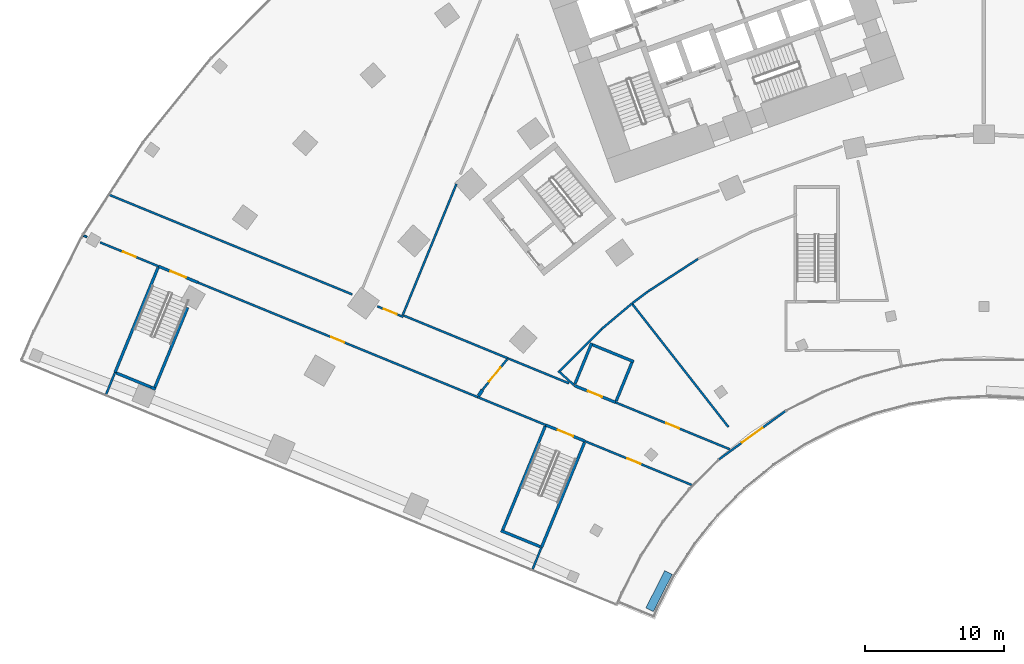
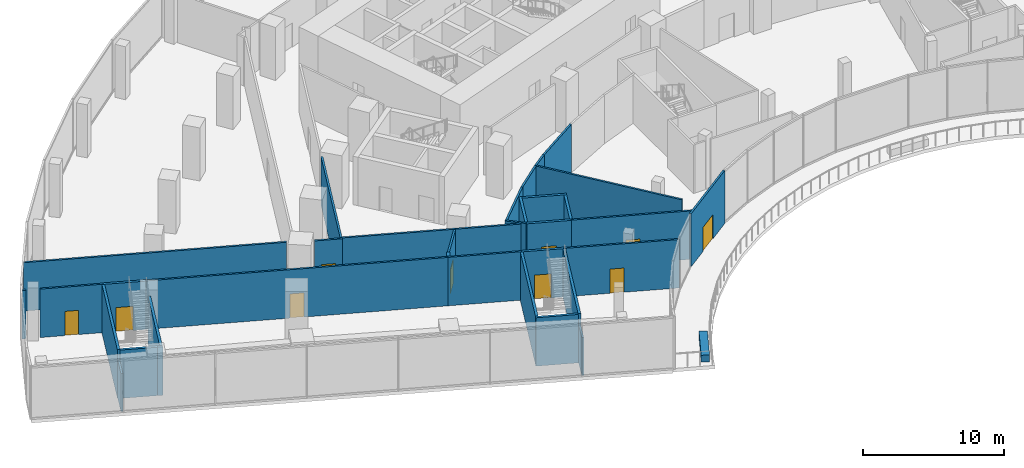
# One storey, part 22 of 39: 36 walls, 10 doors, 10 openings.
"""IFC4 building model written with IfcOpenShell, lengths in metres."""

from ifc_helpers import new_model, si_unit, direction, frame, frame_2d, origin, origin_2d, place, context, subcontext, project, spatial, rectangle, extrude, material, layer, layer_set, type_object, element, fill, save


model = new_model("IFC4")

# Units and contexts
model_context = context("Model", 3, precision=1e-05, world=origin(), true_north=direction((0.0, 1.0)))
body_context = subcontext(model_context, "Body", "Model", "MODEL_VIEW")
ifc_project = project(units=[si_unit("LENGTHUNIT", "METRE"), si_unit("AREAUNIT", "SQUARE_METRE"), si_unit("VOLUMEUNIT", "CUBIC_METRE"), si_unit("PLANEANGLEUNIT", "RADIAN"), si_unit("MASSUNIT", "GRAM", prefix="KILO")], contexts=[model_context])

# Site, building, storey
site_placement = place(None, origin())
site = spatial("IfcSite", under=ifc_project, at=site_placement, CompositionType="ELEMENT")
building_placement = place(site_placement, origin())
building = spatial("IfcBuilding", under=site, at=building_placement, Name="Stone Belt Terrace Tower", CompositionType="ELEMENT")
storey_placement = place(building_placement, frame((0.0, 0.0, 20.800048828125)))
storey = spatial("IfcBuildingStorey", under=building, at=storey_placement, Name="L04", CompositionType="ELEMENT", Elevation=20.800048828125)

# Wall, opening, door
ifc_material_1 = material(Name="Terracotta coloured glazed ceramic", Category="masonry")
ifc_layer_1 = layer(ifc_material_1, 0.14990234375)
ifc_layer_set_1 = layer_set([ifc_layer_1], Name="Ceramic rain-screen wall 150")
wall_type_1 = type_object("IfcWallType", Name="Ceramic rain-screen wall 150", PredefinedType="SOLIDWALL", material=ifc_layer_set_1)
wall_1_placement = place(storey_placement, frame((-18.992431640625, 21.1435546875, 0.0), z_axis=(0.0, 0.0, 1.0), x_axis=(0.809028918742, 0.58776883946, 0.0)))
wall_1 = element("IfcWall", 1, at=wall_1_placement, inside=storey, type_object=wall_type_1, Name="Door wall L04", PredefinedType="SOLIDWALL", context=body_context, shape_type="SweptSolid", body=[
    extrude(rectangle(XDim=5.87451171875, YDim=0.14990234375, at=frame_2d((2.937255859375, 0.0))), origin(), (0.0, 0.0, 1.0), 4.599853515625),
])
opening_1_placement = place(wall_1_placement, frame((2.037353515625, 0.0, 0.0)))
opening_1 = element("IfcOpeningElement", 2, at=opening_1_placement, cuts=wall_1, Name="Opening L04-E01", PredefinedType="OPENING", context=body_context, shape_type="SweptSolid", body=[
    extrude(rectangle(XDim=1.800048828125, YDim=2.10009765625, at=frame_2d((0.89990234375, 1.050048828125))), frame((0.0, 0.0849609375, 0.0), z_axis=(0.0, -1.0, 0.0), x_axis=(1.0, 0.0, 0.0)), (0.0, 0.0, 1.0), 0.169921875),
])
ifc_material_2 = material(Name="Anodised aluminium glazed door", Category="aluminium")
door_type_1 = type_object("IfcDoorType", Name="Terrace double door 1800 x 2100", OperationType="DOUBLE_DOOR_DOUBLE_SWING", PredefinedType="DOOR", material=ifc_material_2)
door_1_placement = place(opening_1_placement, origin())
door_1 = element("IfcDoor", 3, at=door_1_placement, inside=storey, type_object=door_type_1, Name="Terrace door L04", OperationType="DOUBLE_DOOR_DOUBLE_SWING", OverallHeight=2.10009765625, OverallWidth=1.800048828125, PredefinedType="DOOR", context=body_context, shape_type="SweptSolid", body=[
    extrude(rectangle(XDim=1.800048828125, YDim=2.10009765625, at=frame_2d((0.89990234375, 1.050048828125))), frame((0.0, 0.02490234375, 0.0), z_axis=(0.0, -1.0, 0.0), x_axis=(1.0, 0.0, 0.0)), (0.0, 0.0, 1.0), 0.050048828125),
])
fill(opening_1, door_1)

# Walls
ifc_material_3 = material(Name="Fire-resistant glazing in steel frame", Category="steel")
ifc_layer_2 = layer(ifc_material_3, 0.25)
ifc_layer_set_2 = layer_set([ifc_layer_2], Name="Glazed compartment fire screen 250")
wall_type_2 = type_object("IfcWallType", Name="Glazed compartment fire screen 250", PredefinedType="PARTITIONING", material=ifc_layer_set_2)
wall_2_placement = place(storey_placement, frame((-36.2451171875, 25.68408203125, 0.0), z_axis=(0.0, 0.0, 1.0), x_axis=(0.547453853433, 0.836835873013, 0.0)))
element("IfcWall", 4, at=wall_2_placement, inside=storey, type_object=wall_type_2, Name="Compartment fire screen L04 1", PredefinedType="PARTITIONING", context=body_context, shape_type="SweptSolid", body=[
    extrude(rectangle(XDim=0.5146484375, YDim=0.25, at=frame_2d((0.25732421875, 0.0))), origin(), (0.0, 0.0, 1.0), 4.199951171875),
])
ifc_material_4 = material(Name="Precast concrete C40/50", Category="concrete")
ifc_layer_3 = layer(ifc_material_4, 0.60009765625)
ifc_layer_set_3 = layer_set([ifc_layer_3], Name="Planter box 600 x 600")
wall_type_3 = type_object("IfcWallType", Name="Planter box 600 x 600", PredefinedType="SOLIDWALL", material=ifc_layer_set_3)
wall_3_placement = place(storey_placement, frame((-23.29638671875, 11.69140625, 0.0), z_axis=(0.0, 0.0, 1.0), x_axis=(0.45399049974, 0.891006524188, 0.0)))
element("IfcWall", 5, at=wall_3_placement, inside=storey, type_object=wall_type_3, Name="PLANTER L04 1", PredefinedType="SOLIDWALL", context=body_context, shape_type="SweptSolid", body=[
    extrude(rectangle(XDim=3.0, YDim=0.60009765625, at=origin_2d()), origin(), (0.0, 0.0, 1.0), 0.60009765625),
])

# Wall, opening, door
ifc_material_5 = material(Name="Reinforced blockwork wall, plastered both faces", Category="masonry")
ifc_layer_4 = layer(ifc_material_5, 0.199951171875)
ifc_layer_set_4 = layer_set([ifc_layer_4], Name="Podium lift shaft wall 200")
wall_type_4 = type_object("IfcWallType", Name="Podium lift shaft wall 200", PredefinedType="SOLIDWALL", material=ifc_layer_set_4)
wall_4_placement = place(storey_placement, frame((-29.3701171875, 26.429931640625, 0.0), z_axis=(0.0, 0.0, 1.0), x_axis=(0.92564908085, -0.378383111571, 0.0)))
wall_4 = element("IfcWall", 6, at=wall_4_placement, inside=storey, type_object=wall_type_4, Name="Podium lift shaft wall 200", PredefinedType="SOLIDWALL", context=body_context, shape_type="SweptSolid", body=[
    extrude(rectangle(XDim=3.19775390625, YDim=0.199951171875, at=frame_2d((1.598876953125, 0.0))), origin(), (0.0, 0.0, 1.0), 4.199951171875),
])
opening_2_placement = place(wall_4_placement, frame((1.048828125, 0.0, 0.0)))
opening_2 = element("IfcOpeningElement", 7, at=opening_2_placement, cuts=wall_4, Name="Opening L04-P09", PredefinedType="OPENING", context=body_context, shape_type="SweptSolid", body=[
    extrude(rectangle(XDim=1.10009765625, YDim=2.10009765625, at=frame_2d((0.550048828125, 1.050048828125))), frame((0.0, 0.10986328125, 0.0), z_axis=(0.0, -1.0, 0.0), x_axis=(1.0, 0.0, 0.0)), (0.0, 0.0, 1.0), 0.219970703125),
])
ifc_material_6 = material(Name="Stainless steel sliding landing door leaf", Category="steel")
door_type_2 = type_object("IfcDoorType", Name="Podium landing door 1100", OperationType="SLIDING_TO_LEFT", PredefinedType="DOOR", material=ifc_material_6)
door_2_placement = place(opening_2_placement, origin())
door_2 = element("IfcDoor", 8, at=door_2_placement, inside=storey, type_object=door_type_2, Name="Podium landing door 1100", OperationType="SLIDING_TO_LEFT", OverallHeight=2.10009765625, OverallWidth=1.10009765625, PredefinedType="DOOR", context=body_context, shape_type="SweptSolid", body=[
    extrude(rectangle(XDim=1.10009765625, YDim=2.10009765625, at=frame_2d((0.550048828125, 1.050048828125))), frame((0.0, 0.02490234375, 0.0), z_axis=(0.0, -1.0, 0.0), x_axis=(1.0, 0.0, 0.0)), (0.0, 0.0, 1.0), 0.050048828125),
])
fill(opening_2, door_2)

# Walls
wall_5_placement = place(storey_placement, frame((-29.326171875, 26.547119140625, 0.0), z_axis=(0.0, 0.0, 1.0), x_axis=(0.379522578953, 0.92518247501, 0.0)))
element("IfcWall", 9, at=wall_5_placement, inside=storey, type_object=wall_type_4, Name="Podium lift shaft wall 200", PredefinedType="SOLIDWALL", context=body_context, shape_type="SweptSolid", body=[
    extrude(rectangle(XDim=3.172607421875, YDim=0.199951171875, at=frame_2d((1.58642578125, 0.0))), origin(), (0.0, 0.0, 1.0), 4.199951171875),
])
wall_6_placement = place(storey_placement, frame((-28.0673828125, 29.352294921875, 0.0), z_axis=(0.0, 0.0, 1.0), x_axis=(0.925622338254, -0.378448526124, 0.0)))
element("IfcWall", 10, at=wall_6_placement, inside=storey, type_object=wall_type_4, Name="Podium lift shaft wall 200", PredefinedType="SOLIDWALL", context=body_context, shape_type="SweptSolid", body=[
    extrude(rectangle(XDim=3.19775390625, YDim=0.199951171875, at=frame_2d((1.598876953125, 0.0))), origin(), (0.0, 0.0, 1.0), 4.199951171875),
])
wall_7_placement = place(storey_placement, frame((-26.372314453125, 25.3125, 0.0), z_axis=(0.0, 0.0, 1.0), x_axis=(0.378442575395, 0.925624771237, 0.0)))
element("IfcWall", 11, at=wall_7_placement, inside=storey, type_object=wall_type_4, Name="Podium lift shaft wall 200", PredefinedType="SOLIDWALL", context=body_context, shape_type="SweptSolid", body=[
    extrude(rectangle(XDim=2.997802734375, YDim=0.199951171875, at=frame_2d((1.4990234375, 0.0))), origin(), (0.0, 0.0, 1.0), 4.199951171875),
])
ifc_material_7 = material(Name="Gypsum board on steel stud partition", Category="steel")
ifc_layer_5 = layer(ifc_material_7, 0.14990234375)
ifc_layer_set_5 = layer_set([ifc_layer_5], Name="Podium partition 150")
wall_type_5 = type_object("IfcWallType", Name="Podium partition 150", PredefinedType="PARTITIONING", material=ifc_layer_set_5)
wall_8_placement = place(storey_placement, frame((-64.56005859375, 37.179931640625, 0.0), z_axis=(0.0, 0.0, 1.0), x_axis=(0.92567790555, -0.378312589238, 0.0)))
element("IfcWall", 12, at=wall_8_placement, inside=storey, type_object=wall_type_5, Name="Podium partition 150", PredefinedType="PARTITIONING", context=body_context, shape_type="SweptSolid", body=[
    extrude(rectangle(XDim=0.26708984375, YDim=0.14990234375, at=frame_2d((0.133544921875, 0.0))), origin(), (0.0, 0.0, 1.0), 4.199951171875),
])

# Wall, opening, door
wall_9_placement = place(storey_placement, frame((-63.36962890625, 36.693115234375, 0.0), z_axis=(0.0, 0.0, 1.0), x_axis=(0.925603654014, -0.378494221458, 0.0)))
wall_9 = element("IfcWall", 13, at=wall_9_placement, inside=storey, type_object=wall_type_5, Name="Podium partition 150", PredefinedType="PARTITIONING", context=body_context, shape_type="SweptSolid", body=[
    extrude(rectangle(XDim=4.526123046875, YDim=0.14990234375, at=frame_2d((2.26318359375, 0.0))), origin(), (0.0, 0.0, 1.0), 4.199951171875),
])
opening_3_placement = place(wall_9_placement, frame((1.76318359375, 0.0, 0.0)))
opening_3 = element("IfcOpeningElement", 14, at=opening_3_placement, cuts=wall_9, Name="Opening L04-P18", PredefinedType="OPENING", context=body_context, shape_type="SweptSolid", body=[
    extrude(rectangle(XDim=1.0, YDim=2.10009765625, at=frame_2d((0.5, 1.050048828125))), frame((0.0, 0.0849609375, 0.0), z_axis=(0.0, -1.0, 0.0), x_axis=(1.0, 0.0, 0.0)), (0.0, 0.0, 1.0), 0.169921875),
])
ifc_material_8 = material(Name="Steel framed door leaf", Category="steel")
door_type_3 = type_object("IfcDoorType", Name="Podium door single 1000", OperationType="SINGLE_SWING_LEFT", PredefinedType="DOOR", material=ifc_material_8)
door_3_placement = place(opening_3_placement, origin())
door_3 = element("IfcDoor", 15, at=door_3_placement, inside=storey, type_object=door_type_3, Name="Podium door single 1000", OperationType="SINGLE_SWING_RIGHT", OverallHeight=2.10009765625, OverallWidth=1.0, PredefinedType="DOOR", context=body_context, shape_type="SweptSolid", body=[
    extrude(rectangle(XDim=1.0, YDim=2.10009765625, at=frame_2d((0.5, 1.050048828125))), frame((0.0, 0.02490234375, 0.0), z_axis=(0.0, -1.0, 0.0), x_axis=(1.0, 0.0, 0.0)), (0.0, 0.0, 1.0), 0.050048828125),
])
fill(opening_3, door_3)

# Walls
wall_10_placement = place(storey_placement, frame((-62.93994140625, 25.800048828125, 0.0), z_axis=(0.0, 0.0, 1.0), x_axis=(0.377466142262, 0.926023386015, 0.0)))
element("IfcWall", 16, at=wall_10_placement, inside=storey, type_object=wall_type_5, Name="Podium partition 150", PredefinedType="PARTITIONING", context=body_context, shape_type="SweptSolid", body=[
    extrude(rectangle(XDim=1.6953125, YDim=0.14990234375, at=frame_2d((0.84765625, 0.0))), origin(), (0.0, 0.0, 1.0), 3.300048828125),
])
wall_11_placement = place(storey_placement, frame((-62.77001953125, 40.126953125, 0.0), z_axis=(0.0, 0.0, 1.0), x_axis=(0.925299264419, -0.379237750318, 0.0)))
element("IfcWall", 17, at=wall_11_placement, inside=storey, type_object=wall_type_5, Name="Podium partition 150", PredefinedType="PARTITIONING", context=body_context, shape_type="SweptSolid", body=[
    extrude(rectangle(XDim=18.887451171875, YDim=0.14990234375, at=frame_2d((9.44384765625, 0.0))), origin(), (0.0, 0.0, 1.0), 4.199951171875),
])

# Wall, opening, door
wall_12_placement = place(storey_placement, frame((-56.360107421875, 33.820068359375, 0.0), z_axis=(0.0, 0.0, 1.0), x_axis=(0.925327227709, -0.379169515733, 0.0)))
wall_12 = element("IfcWall", 18, at=wall_12_placement, inside=storey, type_object=wall_type_5, Name="Podium partition 150", PredefinedType="PARTITIONING", context=body_context, shape_type="SweptSolid", body=[
    extrude(rectangle(XDim=21.678955078125, YDim=0.14990234375, at=frame_2d((10.83935546875, 0.0))), origin(), (0.0, 0.0, 1.0), 4.199951171875),
])
opening_4_placement = place(wall_12_placement, frame((10.33935546875, 0.0, 0.0)))
opening_4 = element("IfcOpeningElement", 19, at=opening_4_placement, cuts=wall_12, Name="Opening L04-P17", PredefinedType="OPENING", context=body_context, shape_type="SweptSolid", body=[
    extrude(rectangle(XDim=1.0, YDim=2.10009765625, at=frame_2d((0.5, 1.050048828125))), frame((0.0, 0.0849609375, 0.0), z_axis=(0.0, -1.0, 0.0), x_axis=(1.0, 0.0, 0.0)), (0.0, 0.0, 1.0), 0.169921875),
])
door_4_placement = place(opening_4_placement, origin())
door_4 = element("IfcDoor", 20, at=door_4_placement, inside=storey, type_object=door_type_3, Name="Podium door single 1000", OperationType="SINGLE_SWING_LEFT", OverallHeight=2.10009765625, OverallWidth=1.0, PredefinedType="DOOR", context=body_context, shape_type="SweptSolid", body=[
    extrude(rectangle(XDim=1.0, YDim=2.10009765625, at=frame_2d((0.5, 1.050048828125))), frame((0.0, 0.02490234375, 0.0), z_axis=(0.0, -1.0, 0.0), x_axis=(1.0, 0.0, 0.0)), (0.0, 0.0, 1.0), 0.050048828125),
])
fill(opening_4, door_4)

wall_13_placement = place(storey_placement, frame((-43.498779296875, 32.112548828125, 0.0), z_axis=(0.0, 0.0, 1.0), x_axis=(0.925401628823, -0.378987896077, 0.0)))
wall_13 = element("IfcWall", 21, at=wall_13_placement, inside=storey, type_object=wall_type_5, Name="Podium partition 150", PredefinedType="PARTITIONING", context=body_context, shape_type="SweptSolid", body=[
    extrude(rectangle(XDim=2.008056640625, YDim=0.14990234375, at=frame_2d((1.00390625, 0.0))), origin(), (0.0, 0.0, 1.0), 4.199951171875),
])
opening_5_placement = place(wall_13_placement, frame((0.504150390625, 0.0, 0.0)))
opening_5 = element("IfcOpeningElement", 22, at=opening_5_placement, cuts=wall_13, Name="Opening L04-P32", PredefinedType="OPENING", context=body_context, shape_type="SweptSolid", body=[
    extrude(rectangle(XDim=1.0, YDim=2.10009765625, at=frame_2d((0.5, 1.050048828125))), frame((0.0, 0.0849609375, 0.0), z_axis=(0.0, -1.0, 0.0), x_axis=(1.0, 0.0, 0.0)), (0.0, 0.0, 1.0), 0.169921875),
])
door_5_placement = place(opening_5_placement, origin())
door_5 = element("IfcDoor", 23, at=door_5_placement, inside=storey, type_object=door_type_3, Name="Podium door single 1000", OperationType="SINGLE_SWING_RIGHT", OverallHeight=2.10009765625, OverallWidth=1.0, PredefinedType="DOOR", context=body_context, shape_type="SweptSolid", body=[
    extrude(rectangle(XDim=1.0, YDim=2.10009765625, at=frame_2d((0.5, 1.050048828125))), frame((0.0, 0.02490234375, 0.0), z_axis=(0.0, -1.0, 0.0), x_axis=(1.0, 0.0, 0.0)), (0.0, 0.0, 1.0), 0.050048828125),
])
fill(opening_5, door_5)

# Walls
wall_14_placement = place(storey_placement, frame((-41.679931640625, 31.469970703125, 0.0), z_axis=(0.0, 0.0, 1.0), x_axis=(0.379243967023, 0.925296716452, 0.0)))
element("IfcWall", 24, at=wall_14_placement, inside=storey, type_object=wall_type_5, Name="Podium partition 150", PredefinedType="PARTITIONING", context=body_context, shape_type="SweptSolid", body=[
    extrude(rectangle(XDim=10.171875, YDim=0.14990234375, at=frame_2d((5.0859375, 0.0))), origin(), (0.0, 0.0, 1.0), 4.199951171875),
])
wall_15_placement = place(storey_placement, frame((-41.60595703125, 31.44970703125, 0.0), z_axis=(0.0, 0.0, 1.0), x_axis=(0.925050526838, -0.379844076953, 0.0)))
element("IfcWall", 25, at=wall_15_placement, inside=storey, type_object=wall_type_5, Name="Podium partition 150", PredefinedType="PARTITIONING", context=body_context, shape_type="SweptSolid", body=[
    extrude(rectangle(XDim=8.081787109375, YDim=0.14990234375, at=frame_2d((4.041015625, 0.0))), origin(), (0.0, 0.0, 1.0), 4.199951171875),
])
wall_16_placement = place(storey_placement, frame((-36.300048828125, 25.60009765625, 0.0), z_axis=(0.0, 0.0, 1.0), x_axis=(0.92530860032, -0.379214970925, 0.0)))
element("IfcWall", 26, at=wall_16_placement, inside=storey, type_object=wall_type_5, Name="Podium partition 150", PredefinedType="PARTITIONING", context=body_context, shape_type="SweptSolid", body=[
    extrude(rectangle(XDim=5.274169921875, YDim=0.14990234375, at=frame_2d((2.63720703125, 0.0))), origin(), (0.0, 0.0, 1.0), 4.199951171875),
])

# Wall, opening, door
wall_17_placement = place(storey_placement, frame((-35.95751953125, 26.123046875, 0.0), z_axis=(0.0, 0.0, 1.0), x_axis=(0.629303430663, 0.777159695401, 0.0)))
wall_17 = element("IfcWall", 27, at=wall_17_placement, inside=storey, type_object=wall_type_5, Name="Podium partition 150", PredefinedType="PARTITIONING", context=body_context, shape_type="SweptSolid", body=[
    extrude(rectangle(XDim=2.8037109375, YDim=0.14990234375, at=frame_2d((1.40185546875, 0.0))), origin(), (0.0, 0.0, 1.0), 4.199951171875),
])
opening_6_placement = place(wall_17_placement, frame((0.762939453125, 0.0, 0.0)))
opening_6 = element("IfcOpeningElement", 28, at=opening_6_placement, cuts=wall_17, Name="Opening L04-P34", PredefinedType="OPENING", context=body_context, shape_type="SweptSolid", body=[
    extrude(rectangle(XDim=1.300048828125, YDim=2.10009765625, at=frame_2d((0.64990234375, 1.050048828125))), frame((0.0, 0.0849609375, 0.0), z_axis=(0.0, -1.0, 0.0), x_axis=(1.0, 0.0, 0.0)), (0.0, 0.0, 1.0), 0.169921875),
])
ifc_material_9 = material(Name="Steel framed fire door leaf", Category="steel")
door_type_4 = type_object("IfcDoorType", Name="Fire door 1300 x 2100 EI 60", OperationType="SINGLE_SWING_LEFT", PredefinedType="DOOR", material=ifc_material_9)
door_6_placement = place(opening_6_placement, origin())
door_6 = element("IfcDoor", 29, at=door_6_placement, inside=storey, type_object=door_type_4, Name="Fire door 1300 x 2100 EI 60", OperationType="SINGLE_SWING_LEFT", OverallHeight=2.10009765625, OverallWidth=1.300048828125, PredefinedType="DOOR", context=body_context, shape_type="SweptSolid", body=[
    extrude(rectangle(XDim=1.300048828125, YDim=2.10009765625, at=frame_2d((0.64990234375, 1.050048828125))), frame((0.0, 0.02490234375, 0.0), z_axis=(0.0, -1.0, 0.0), x_axis=(1.0, 0.0, 0.0)), (0.0, 0.0, 1.0), 0.050048828125),
])
fill(opening_6, door_6)

# Walls
wall_18_placement = place(storey_placement, frame((-34.1298828125, 28.3798828125, 0.0), z_axis=(0.0, 0.0, 1.0), x_axis=(0.925369477144, -0.379066393618, 0.0)))
element("IfcWall", 30, at=wall_18_placement, inside=storey, type_object=wall_type_5, Name="Podium partition 150", PredefinedType="PARTITIONING", context=body_context, shape_type="SweptSolid", body=[
    extrude(rectangle(XDim=4.73583984375, YDim=0.14990234375, at=frame_2d((2.367919921875, 0.0))), origin(), (0.0, 0.0, 1.0), 4.199951171875),
])
wall_19_placement = place(storey_placement, frame((-32.360107421875, 13.260009765625, 0.0), z_axis=(0.0, 0.0, 1.0), x_axis=(0.375412514618, 0.926857833688, 0.0)))
element("IfcWall", 31, at=wall_19_placement, inside=storey, type_object=wall_type_5, Name="Podium partition 150", PredefinedType="PARTITIONING", context=body_context, shape_type="SweptSolid", body=[
    extrude(rectangle(XDim=1.70458984375, YDim=0.14990234375, at=frame_2d((0.852294921875, 0.0))), origin(), (0.0, 0.0, 1.0), 3.300048828125),
])
wall_20_placement = place(storey_placement, frame((-30.52587890625, 27.480224609375, 0.0), z_axis=(0.0, 0.0, 1.0), x_axis=(0.743278290788, -0.66898234838, 0.0)))
element("IfcWall", 32, at=wall_20_placement, inside=storey, type_object=wall_type_5, Name="Podium partition 150", PredefinedType="PARTITIONING", context=body_context, shape_type="SweptSolid", body=[
    extrude(rectangle(XDim=1.53125, YDim=0.14990234375, at=frame_2d((0.765625, 0.0))), origin(), (0.0, 0.0, 1.0), 4.199951171875),
])
wall_21_placement = place(storey_placement, frame((-30.4169921875, 27.483154296875, 0.0), z_axis=(0.0, 0.0, 1.0), x_axis=(0.707106781187, 0.707106781187, 0.0)))
element("IfcWall", 33, at=wall_21_placement, inside=storey, type_object=wall_type_5, Name="Podium partition 150", PredefinedType="PARTITIONING", context=body_context, shape_type="SweptSolid", body=[
    extrude(rectangle(XDim=4.220947265625, YDim=0.14990234375, at=frame_2d((2.1103515625, 0.0))), origin(), (0.0, 0.0, 1.0), 4.199951171875),
])

# Wall, opening, door
wall_22_placement = place(storey_placement, frame((-28.60009765625, 22.43994140625, 0.0), z_axis=(0.0, 0.0, 1.0), x_axis=(0.925110391738, -0.379698252693, 0.0)))
wall_22 = element("IfcWall", 34, at=wall_22_placement, inside=storey, type_object=wall_type_5, Name="Podium partition 150", PredefinedType="PARTITIONING", context=body_context, shape_type="SweptSolid", body=[
    extrude(rectangle(XDim=8.26953125, YDim=0.14990234375, at=frame_2d((4.134765625, 0.0))), origin(), (0.0, 0.0, 1.0), 4.199951171875),
])
opening_7_placement = place(wall_22_placement, frame((3.2861328125, 0.0, 0.0)))
opening_7 = element("IfcOpeningElement", 35, at=opening_7_placement, cuts=wall_22, Name="Opening L04-P16", PredefinedType="OPENING", context=body_context, shape_type="SweptSolid", body=[
    extrude(rectangle(XDim=1.0, YDim=2.10009765625, at=frame_2d((0.5, 1.050048828125))), frame((0.0, 0.0849609375, 0.0), z_axis=(0.0, -1.0, 0.0), x_axis=(1.0, 0.0, 0.0)), (0.0, 0.0, 1.0), 0.169921875),
])
door_7_placement = place(opening_7_placement, origin())
door_7 = element("IfcDoor", 36, at=door_7_placement, inside=storey, type_object=door_type_3, Name="Podium door single 1000", OperationType="SINGLE_SWING_RIGHT", OverallHeight=2.10009765625, OverallWidth=1.0, PredefinedType="DOOR", context=body_context, shape_type="SweptSolid", body=[
    extrude(rectangle(XDim=1.0, YDim=2.10009765625, at=frame_2d((0.5, 1.050048828125))), frame((0.0, 0.02490234375, 0.0), z_axis=(0.0, -1.0, 0.0), x_axis=(1.0, 0.0, 0.0)), (0.0, 0.0, 1.0), 0.050048828125),
])
fill(opening_7, door_7)

# Wall
wall_23_placement = place(storey_placement, frame((-27.427490234375, 30.47216796875, 0.0), z_axis=(0.0, 0.0, 1.0), x_axis=(0.76567791087, 0.643224173058, 0.0)))
element("IfcWall", 37, at=wall_23_placement, inside=storey, type_object=wall_type_5, Name="Podium partition 150", PredefinedType="PARTITIONING", context=body_context, shape_type="SweptSolid", body=[
    extrude(rectangle(XDim=2.85498046875, YDim=0.14990234375, at=frame_2d((1.427490234375, 0.0))), origin(), (0.0, 0.0, 1.0), 4.199951171875),
])

# Wall, opening, door
wall_24_placement = place(storey_placement, frame((-26.409912109375, 25.219970703125, 0.0), z_axis=(0.0, 0.0, 1.0), x_axis=(0.925173088103, -0.379545461112, 0.0)))
wall_24 = element("IfcWall", 38, at=wall_24_placement, inside=storey, type_object=wall_type_5, Name="Podium partition 150", PredefinedType="PARTITIONING", context=body_context, shape_type="SweptSolid", body=[
    extrude(rectangle(XDim=8.852294921875, YDim=0.14990234375, at=frame_2d((4.42626953125, 0.0))), origin(), (0.0, 0.0, 1.0), 4.199951171875),
])
opening_8_placement = place(wall_24_placement, frame((3.92626953125, 0.0, 0.0)))
opening_8 = element("IfcOpeningElement", 39, at=opening_8_placement, cuts=wall_24, Name="Opening L04-P22", PredefinedType="OPENING", context=body_context, shape_type="SweptSolid", body=[
    extrude(rectangle(XDim=1.0, YDim=2.10009765625, at=frame_2d((0.5, 1.050048828125))), frame((0.0, 0.0849609375, 0.0), z_axis=(0.0, -1.0, 0.0), x_axis=(1.0, 0.0, 0.0)), (0.0, 0.0, 1.0), 0.169921875),
])
door_8_placement = place(opening_8_placement, origin())
door_8 = element("IfcDoor", 40, at=door_8_placement, inside=storey, type_object=door_type_3, Name="Podium door single 1000", OperationType="SINGLE_SWING_RIGHT", OverallHeight=2.10009765625, OverallWidth=1.0, PredefinedType="DOOR", context=body_context, shape_type="SweptSolid", body=[
    extrude(rectangle(XDim=1.0, YDim=2.10009765625, at=frame_2d((0.5, 1.050048828125))), frame((0.0, 0.02490234375, 0.0), z_axis=(0.0, -1.0, 0.0), x_axis=(1.0, 0.0, 0.0)), (0.0, 0.0, 1.0), 0.050048828125),
])
fill(opening_8, door_8)

# Walls
wall_25_placement = place(storey_placement, frame((-25.23828125, 32.311279296875, 0.0), z_axis=(0.0, 0.0, 1.0), x_axis=(0.798308961696, 0.602248123016, 0.0)))
element("IfcWall", 41, at=wall_25_placement, inside=storey, type_object=wall_type_5, Name="Podium partition 150", PredefinedType="PARTITIONING", context=body_context, shape_type="SweptSolid", body=[
    extrude(rectangle(XDim=1.42333984375, YDim=0.14990234375, at=frame_2d((0.711669921875, 0.0))), origin(), (0.0, 0.0, 1.0), 4.199951171875),
])
wall_26_placement = place(storey_placement, frame((-25.19384765625, 32.2509765625, 0.0), z_axis=(0.0, 0.0, 1.0), x_axis=(0.615708971486, -0.787973643234, 0.0)))
element("IfcWall", 42, at=wall_26_placement, inside=storey, type_object=wall_type_5, Name="Podium partition 150", PredefinedType="PARTITIONING", context=body_context, shape_type="SweptSolid", body=[
    extrude(rectangle(XDim=11.16357421875, YDim=0.14990234375, at=frame_2d((5.581787109375, 0.0))), origin(), (0.0, 0.0, 1.0), 4.199951171875),
])
wall_27_placement = place(storey_placement, frame((-24.097900390625, 33.17138671875, 0.0), z_axis=(0.0, 0.0, 1.0), x_axis=(0.838442315206, 0.544990352274, 0.0)))
element("IfcWall", 43, at=wall_27_placement, inside=storey, type_object=wall_type_5, Name="Podium partition 150", PredefinedType="PARTITIONING", context=body_context, shape_type="SweptSolid", body=[
    extrude(rectangle(XDim=4.287109375, YDim=0.14990234375, at=frame_2d((2.1435546875, 0.0))), origin(), (0.0, 0.0, 1.0), 4.199951171875),
])
ifc_material_10 = material(Name="Concrete B30", Category="concrete")
ifc_layer_6 = layer(ifc_material_10, 0.199951171875)
ifc_layer_set_6 = layer_set([ifc_layer_6], Name="Podium stair and shaft wall 200")
wall_type_6 = type_object("IfcWallType", Name="Podium stair and shaft wall 200", PredefinedType="SOLIDWALL", material=ifc_layer_set_6)
wall_28_placement = place(storey_placement, frame((-62.20751953125, 27.33203125, 0.0), z_axis=(0.0, 0.0, 1.0), x_axis=(0.924825245406, -0.380392252102, 0.0)))
element("IfcWall", 44, at=wall_28_placement, inside=storey, type_object=wall_type_6, Name="Podium stair and shaft wall 200", PredefinedType="SOLIDWALL", context=body_context, shape_type="SweptSolid", body=[
    extrude(rectangle(XDim=2.678955078125, YDim=0.199951171875, at=frame_2d((1.33935546875, 0.0))), origin(), (0.0, 0.0, 1.0), 4.199951171875),
])
wall_29_placement = place(storey_placement, frame((-59.72998046875, 26.31298828125, 0.0), z_axis=(0.0, 0.0, 1.0), x_axis=(0.924841834944, -0.380351916438, 0.0)))
element("IfcWall", 45, at=wall_29_placement, inside=storey, type_object=wall_type_6, Name="Podium stair and shaft wall 200", PredefinedType="SOLIDWALL", context=body_context, shape_type="SweptSolid", body=[
    extrude(rectangle(XDim=0.370361328125, YDim=0.199951171875, at=frame_2d((0.18505859375, 0.0))), origin(), (0.0, 0.0, 1.0), 4.199951171875),
])
wall_30_placement = place(storey_placement, frame((-62.300048828125, 27.3701171875, 0.0), z_axis=(0.0, 0.0, 1.0), x_axis=(0.379345306329, 0.925255174839, 0.0)))
element("IfcWall", 46, at=wall_30_placement, inside=storey, type_object=wall_type_6, Name="Podium stair and shaft wall 200", PredefinedType="SOLIDWALL", context=body_context, shape_type="SweptSolid", body=[
    extrude(rectangle(XDim=8.12451171875, YDim=0.199951171875, at=frame_2d((4.062255859375, 0.0))), origin(), (0.0, 0.0, 1.0), 4.199951171875),
])
wall_31_placement = place(storey_placement, frame((-59.442138671875, 26.302490234375, 0.0), z_axis=(0.0, 0.0, 1.0), x_axis=(0.37933470683, 0.925259520456, 0.0)))
element("IfcWall", 47, at=wall_31_placement, inside=storey, type_object=wall_type_6, Name="Podium stair and shaft wall 200", PredefinedType="SOLIDWALL", context=body_context, shape_type="SweptSolid", body=[
    extrude(rectangle(XDim=6.18896484375, YDim=0.199951171875, at=frame_2d((3.094482421875, 0.0))), origin(), (0.0, 0.0, 1.0), 4.199951171875),
])

# Wall, opening, door
wall_32_placement = place(storey_placement, frame((-59.179931640625, 34.97998046875, 0.0), z_axis=(0.0, 0.0, 1.0), x_axis=(0.924815674246, -0.380415521068, 0.0)))
wall_32 = element("IfcWall", 48, at=wall_32_placement, inside=storey, type_object=wall_type_6, Name="Podium stair and shaft wall 200", PredefinedType="SOLIDWALL", context=body_context, shape_type="SweptSolid", body=[
    extrude(rectangle(XDim=3.049072265625, YDim=0.199951171875, at=frame_2d((1.5244140625, 0.0))), origin(), (0.0, 0.0, 1.0), 4.199951171875),
])
opening_9_placement = place(wall_32_placement, frame((0.924560546875, 0.0, 0.0)))
opening_9 = element("IfcOpeningElement", 49, at=opening_9_placement, cuts=wall_32, Name="Opening L04-P02", PredefinedType="OPENING", context=body_context, shape_type="SweptSolid", body=[
    extrude(rectangle(XDim=1.199951171875, YDim=2.10009765625, at=frame_2d((0.60009765625, 1.050048828125))), frame((0.0, 0.10986328125, 0.0), z_axis=(0.0, -1.0, 0.0), x_axis=(1.0, 0.0, 0.0)), (0.0, 0.0, 1.0), 0.219970703125),
])
door_type_5 = type_object("IfcDoorType", Name="Podium door fire stair 1200", OperationType="SINGLE_SWING_LEFT", PredefinedType="DOOR", material=ifc_material_8)
door_9_placement = place(opening_9_placement, origin())
door_9 = element("IfcDoor", 50, at=door_9_placement, inside=storey, type_object=door_type_5, Name="Podium door fire stair 1200", OperationType="SINGLE_SWING_RIGHT", OverallHeight=2.10009765625, OverallWidth=1.199951171875, PredefinedType="DOOR", context=body_context, shape_type="SweptSolid", body=[
    extrude(rectangle(XDim=1.199951171875, YDim=2.10009765625, at=frame_2d((0.60009765625, 1.050048828125))), frame((0.0, 0.02490234375, 0.0), z_axis=(0.0, -1.0, 0.0), x_axis=(1.0, 0.0, 0.0)), (0.0, 0.0, 1.0), 0.050048828125),
])
fill(opening_9, door_9)

# Walls
wall_33_placement = place(storey_placement, frame((-34.632568359375, 16.02783203125, 0.0), z_axis=(0.0, 0.0, 1.0), x_axis=(0.92595120991, -0.377643160756, 0.0)))
element("IfcWall", 51, at=wall_33_placement, inside=storey, type_object=wall_type_6, Name="Podium stair and shaft wall 200", PredefinedType="SOLIDWALL", context=body_context, shape_type="SweptSolid", body=[
    extrude(rectangle(XDim=3.045654296875, YDim=0.199951171875, at=frame_2d((1.52294921875, 0.0))), origin(), (0.0, 0.0, 1.0), 4.199951171875),
])
wall_34_placement = place(storey_placement, frame((-34.502197265625, 16.08251953125, 0.0), z_axis=(0.0, 0.0, 1.0), x_axis=(0.379344686309, 0.925255429041, 0.0)))
element("IfcWall", 52, at=wall_34_placement, inside=storey, type_object=wall_type_6, Name="Podium stair and shaft wall 200", PredefinedType="SOLIDWALL", context=body_context, shape_type="SweptSolid", body=[
    extrude(rectangle(XDim=8.02490234375, YDim=0.199951171875, at=frame_2d((4.012451171875, 0.0))), origin(), (0.0, 0.0, 1.0), 4.199951171875),
])
wall_35_placement = place(storey_placement, frame((-31.719970703125, 14.840087890625, 0.0), z_axis=(0.0, 0.0, 1.0), x_axis=(0.379778190266, 0.925077578476, 0.0)))
element("IfcWall", 53, at=wall_35_placement, inside=storey, type_object=wall_type_6, Name="Podium stair and shaft wall 200", PredefinedType="SOLIDWALL", context=body_context, shape_type="SweptSolid", body=[
    extrude(rectangle(XDim=8.115234375, YDim=0.199951171875, at=frame_2d((4.0576171875, 0.0))), origin(), (0.0, 0.0, 1.0), 4.199951171875),
])

# Wall, opening, door
wall_36_placement = place(storey_placement, frame((-31.419921875, 23.60009765625, 0.0), z_axis=(0.0, 0.0, 1.0), x_axis=(0.924787502584, -0.380484001063, 0.0)))
wall_36 = element("IfcWall", 54, at=wall_36_placement, inside=storey, type_object=wall_type_6, Name="Podium stair and shaft wall 200", PredefinedType="SOLIDWALL", context=body_context, shape_type="SweptSolid", body=[
    extrude(rectangle(XDim=3.049072265625, YDim=0.199951171875, at=frame_2d((1.5244140625, 0.0))), origin(), (0.0, 0.0, 1.0), 4.199951171875),
])
opening_10_placement = place(wall_36_placement, frame((0.924560546875, 0.0, 0.0)))
opening_10 = element("IfcOpeningElement", 55, at=opening_10_placement, cuts=wall_36, Name="Opening L04-P01", PredefinedType="OPENING", context=body_context, shape_type="SweptSolid", body=[
    extrude(rectangle(XDim=1.199951171875, YDim=2.10009765625, at=frame_2d((0.60009765625, 1.050048828125))), frame((0.0, 0.10986328125, 0.0), z_axis=(0.0, -1.0, 0.0), x_axis=(1.0, 0.0, 0.0)), (0.0, 0.0, 1.0), 0.219970703125),
])
door_10_placement = place(opening_10_placement, origin())
door_10 = element("IfcDoor", 56, at=door_10_placement, inside=storey, type_object=door_type_5, Name="Podium door fire stair 1200", OperationType="SINGLE_SWING_LEFT", OverallHeight=2.10009765625, OverallWidth=1.199951171875, PredefinedType="DOOR", context=body_context, shape_type="SweptSolid", body=[
    extrude(rectangle(XDim=1.199951171875, YDim=2.10009765625, at=frame_2d((0.60009765625, 1.050048828125))), frame((0.0, 0.02490234375, 0.0), z_axis=(0.0, -1.0, 0.0), x_axis=(1.0, 0.0, 0.0)), (0.0, 0.0, 1.0), 0.050048828125),
])
fill(opening_10, door_10)

save(model, "model.ifc")
